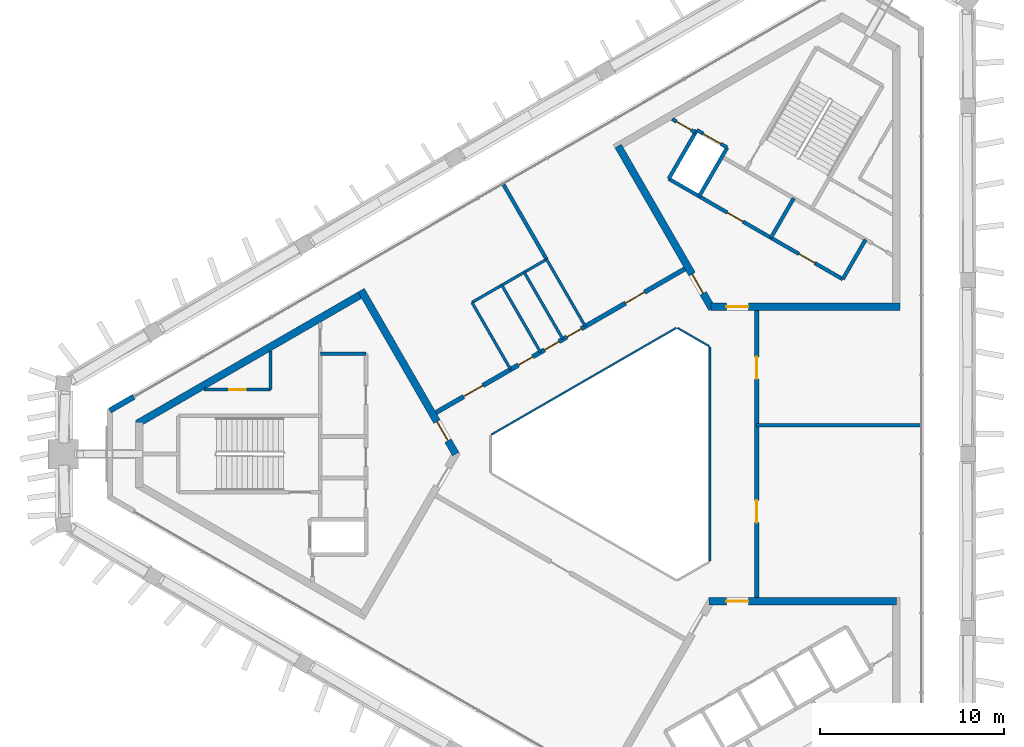
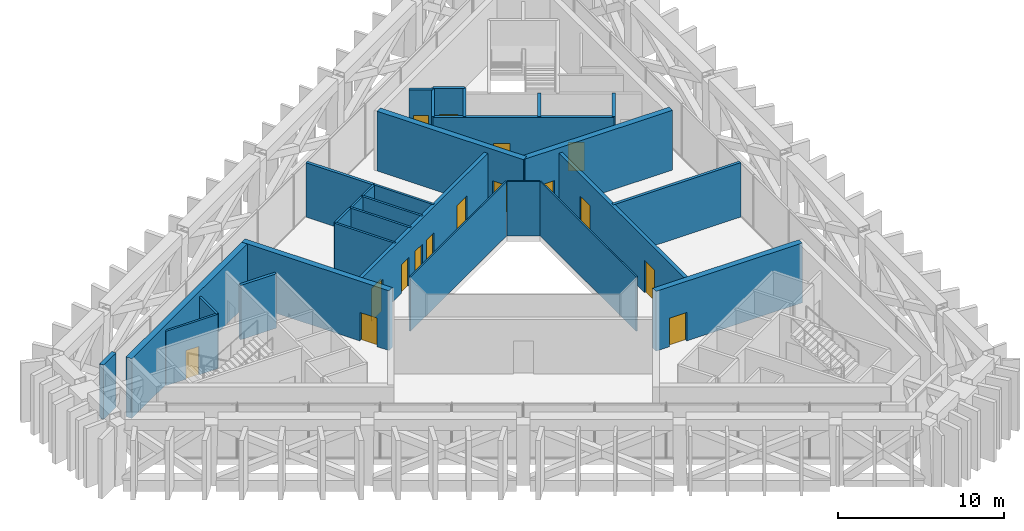
# One storey, part 9 of 12: 28 walls, 16 doors, 16 openings.
"""IFC4 building model written with IfcOpenShell, lengths in metres."""

from ifc_helpers import new_model, si_unit, direction, frame, frame_2d, origin, place, context, subcontext, project, spatial, rectangle, extrude, material, layer, layer_set, type_object, element, fill, save


model = new_model("IFC4")

# Units and contexts
model_context = context("Model", 3, precision=1e-05, world=origin(), true_north=direction((0.0, 1.0)))
body_context = subcontext(model_context, "Body", "Model", "MODEL_VIEW")
ifc_project = project(units=[si_unit("LENGTHUNIT", "METRE"), si_unit("AREAUNIT", "SQUARE_METRE"), si_unit("VOLUMEUNIT", "CUBIC_METRE"), si_unit("PLANEANGLEUNIT", "RADIAN"), si_unit("MASSUNIT", "GRAM", prefix="KILO")], contexts=[model_context])

# Site, building, storey
site_placement = place(None, origin())
site = spatial("IfcSite", under=ifc_project, at=site_placement, CompositionType="ELEMENT")
building_placement = place(site_placement, origin())
building = spatial("IfcBuilding", under=site, at=building_placement, Name="Jabali Bay Hotel Tower and Convention Centre", CompositionType="ELEMENT")
storey_placement = place(building_placement, frame((0.0, 0.0, 300.39990234375)))
storey = spatial("IfcBuildingStorey", under=building, at=storey_placement, Name="L74", CompositionType="ELEMENT", Elevation=300.39990234375)

# Walls
ifc_material_1 = material(Name="Fire-resistant glazing", Category="glass")
ifc_layer_1 = layer(ifc_material_1, 0.10009765625)
ifc_layer_set_1 = layer_set([ifc_layer_1], Name="Fire-resistant glazing")
wall_type_1 = type_object("IfcWallType", Name="Atrium glazed screen 100", PredefinedType="PARTITIONING", material=ifc_layer_set_1)
wall_1_placement = place(storey_placement, frame((79.56005859375, 74.205810546875, 0.0), z_axis=(0.0, 0.0, 1.0), x_axis=(0.0, 1.0, 0.0)))
element("IfcWall", 1, at=wall_1_placement, inside=storey, type_object=wall_type_1, Name="Atrium screen 1 L74", PredefinedType="PARTITIONING", context=body_context, shape_type="SweptSolid", body=[
    extrude(rectangle(XDim=11.58837890625, YDim=0.10009765625, at=frame_2d((5.794189453125, 0.0))), origin(), (0.0, 0.0, 1.0), 4.0),
])
wall_2_placement = place(storey_placement, frame((79.530029296875, 85.84619140625, 0.0), z_axis=(0.0, 0.0, 1.0), x_axis=(-0.866041268327, 0.499972520799, 0.0)))
element("IfcWall", 2, at=wall_2_placement, inside=storey, type_object=wall_type_1, Name="Atrium screen 2 L74", PredefinedType="PARTITIONING", context=body_context, shape_type="SweptSolid", body=[
    extrude(rectangle(XDim=2.0, YDim=0.10009765625, at=frame_2d((1.0, 0.0))), origin(), (0.0, 0.0, 1.0), 4.0),
])
wall_3_placement = place(storey_placement, frame((77.738037109375, 86.84619140625, 0.0), z_axis=(0.0, 0.0, 1.0), x_axis=(-0.866026658274, -0.499997827154, 0.0)))
element("IfcWall", 3, at=wall_3_placement, inside=storey, type_object=wall_type_1, Name="Atrium screen 3 L74", PredefinedType="PARTITIONING", context=body_context, shape_type="SweptSolid", body=[
    extrude(rectangle(XDim=11.58837890625, YDim=0.10009765625, at=frame_2d((5.794189453125, 0.0))), origin(), (0.0, 0.0, 1.0), 4.0),
])

# Wall, opening, door
ifc_material_2 = material(Name="Concrete C40", Category="concrete")
ifc_layer_2 = layer(ifc_material_2, 0.199951171875)
ifc_layer_set_2 = layer_set([ifc_layer_2], Name="Concrete C40")
wall_type_2 = type_object("IfcWallType", Name="Core partition wall 200", PredefinedType="PARTITIONING", material=ifc_layer_set_2)
wall_4_placement = place(storey_placement, frame((78.7802734375, 97.447509765625, 0.0), z_axis=(0.0, 0.0, 1.0), x_axis=(-0.866045896294, 0.499964504253, 0.0)))
wall_4 = element("IfcWall", 4, at=wall_4_placement, inside=storey, type_object=wall_type_2, Name="Core wall 1.10 L74", PredefinedType="PARTITIONING", context=body_context, shape_type="SweptSolid", body=[
    extrude(rectangle(XDim=1.455078125, YDim=0.199951171875, at=frame_2d((0.7275390625, 0.0))), origin(), (0.0, 0.0, 1.0), 4.0),
])
opening_1_placement = place(wall_4_placement, frame((0.277587890625, 0.0, 0.0)))
opening_1 = element("IfcOpeningElement", 5, at=opening_1_placement, cuts=wall_4, Name="Opening D1650", PredefinedType="OPENING", context=body_context, shape_type="SweptSolid", body=[
    extrude(rectangle(XDim=0.89990234375, YDim=2.10009765625, at=frame_2d((0.449951171875, 1.050048828125))), frame((0.0, 0.1103515625, 0.0), z_axis=(0.0, -1.0, 0.0), x_axis=(1.0, 0.0, 0.0)), (0.0, 0.0, 1.0), 0.220947265625),
])
ifc_material_3 = material(Name="Fire-rated steel door", Category="steel")
door_type_1 = type_object("IfcDoorType", Name="Vestibule fire door 900 x 2100", OperationType="NOTDEFINED", PredefinedType="NOTDEFINED", material=ifc_material_3)
door_1_placement = place(opening_1_placement, origin())
door_1 = element("IfcDoor", 6, at=door_1_placement, inside=storey, type_object=door_type_1, Name="Vestibule fire door D1650", OperationType="SINGLE_SWING_LEFT", OverallHeight=2.10009765625, OverallWidth=0.89990234375, PredefinedType="NOTDEFINED", context=body_context, shape_type="SweptSolid", body=[
    extrude(rectangle(XDim=0.89990234375, YDim=2.10009765625, at=frame_2d((0.449951171875, 1.050048828125))), frame((0.0, 0.02490234375, 0.0), z_axis=(0.0, -1.0, 0.0), x_axis=(1.0, 0.0, 0.0)), (0.0, 0.0, 1.0), 0.050048828125),
])
fill(opening_1, door_1)

ifc_material_4 = material(Name="Fire-rated board partition")
ifc_layer_3 = layer(ifc_material_4, 0.14990234375)
ifc_layer_set_3 = layer_set([ifc_layer_3], Name="Fire-rated board partition")
wall_type_3 = type_object("IfcWallType", Name="Core room partition 150", PredefinedType="PARTITIONING", material=ifc_layer_set_3)
wall_5_placement = place(storey_placement, frame((55.719970703125, 83.5, 0.0), z_axis=(0.0, 0.0, 1.0), x_axis=(-1.0, 0.0, 0.0)))
wall_5 = element("IfcWall", 7, at=wall_5_placement, inside=storey, type_object=wall_type_3, Name="Core wall 0.1 L74", PredefinedType="PARTITIONING", context=body_context, shape_type="SweptSolid", body=[
    extrude(rectangle(XDim=3.61767578125, YDim=0.14990234375, at=frame_2d((1.808837890625, 0.0))), origin(), (0.0, 0.0, 1.0), 4.0),
])
opening_2_placement = place(wall_5_placement, frame((1.33154296875, 0.0, 0.0)))
opening_2 = element("IfcOpeningElement", 8, at=opening_2_placement, cuts=wall_5, Name="Opening D1644", PredefinedType="OPENING", context=body_context, shape_type="SweptSolid", body=[
    extrude(rectangle(XDim=0.89990234375, YDim=2.10009765625, at=frame_2d((0.449951171875, 1.050048828125))), frame((0.0, 0.08544921875, 0.0), z_axis=(0.0, -1.0, 0.0), x_axis=(1.0, 0.0, 0.0)), (0.0, 0.0, 1.0), 0.1708984375),
])
door_type_2 = type_object("IfcDoorType", Name="Core room door 900 x 2100", OperationType="NOTDEFINED", PredefinedType="NOTDEFINED", material=ifc_material_3)
door_2_placement = place(opening_2_placement, origin())
door_2 = element("IfcDoor", 9, at=door_2_placement, inside=storey, type_object=door_type_2, Name="Core room door D1644", OperationType="SINGLE_SWING_LEFT", OverallHeight=2.10009765625, OverallWidth=0.89990234375, PredefinedType="NOTDEFINED", context=body_context, shape_type="SweptSolid", body=[
    extrude(rectangle(XDim=0.89990234375, YDim=2.10009765625, at=frame_2d((0.449951171875, 1.050048828125))), frame((0.0, 0.02490234375, 0.0), z_axis=(0.0, -1.0, 0.0), x_axis=(1.0, 0.0, 0.0)), (0.0, 0.0, 1.0), 0.050048828125),
])
fill(opening_2, door_2)

# Walls
wall_6_placement = place(storey_placement, frame((55.719970703125, 85.5888671875, 0.0), z_axis=(0.0, 0.0, 1.0), x_axis=(0.0, -1.0, 0.0)))
element("IfcWall", 10, at=wall_6_placement, inside=storey, type_object=wall_type_3, Name="Core wall 0.13 L74", PredefinedType="PARTITIONING", context=body_context, shape_type="SweptSolid", body=[
    extrude(rectangle(XDim=2.0888671875, YDim=0.14990234375, at=frame_2d((1.04443359375, 0.0))), origin(), (0.0, 0.0, 1.0), 4.0),
])
ifc_layer_4 = layer(ifc_material_2, 0.199951171875)
ifc_layer_set_4 = layer_set([ifc_layer_4], Name="Concrete C40")
wall_type_4 = type_object("IfcWallType", Name="Core stair wall 200", PredefinedType="SOLIDWALL", material=ifc_layer_set_4)
wall_7_placement = place(storey_placement, frame((60.89990234375, 85.449951171875, 0.0), z_axis=(0.0, 0.0, 1.0), x_axis=(-1.0, 0.0, 0.0)))
element("IfcWall", 11, at=wall_7_placement, inside=storey, type_object=wall_type_4, Name="Core wall 0.0 L74", PredefinedType="SOLIDWALL", context=body_context, shape_type="SweptSolid", body=[
    extrude(rectangle(XDim=2.47998046875, YDim=0.199951171875, at=frame_2d((1.239990234375, 0.0))), origin(), (0.0, 0.0, 1.0), 4.0),
])
for number, where, z_axis, x_axis, name in (
    (12, (86.769775390625, 89.48583984375, 0.0), (0.0, 0.0, 1.0), (0.499961042966, 0.86604789447, 0.0), "Core wall 1.0 L74"),
    (13, (82.872802734375, 91.73583984375, 0.0), (0.0, 0.0, 1.0), (0.499961042966, 0.86604789447, 0.0), "Core wall 1.3 L74"),
):
    element("IfcWall", number, at=place(storey_placement, frame(where, z_axis=z_axis, x_axis=x_axis)), inside=storey, type_object=wall_type_4, Name=name, PredefinedType="SOLIDWALL", context=body_context, shape_type="SweptSolid", body=[
        extrude(rectangle(XDim=2.480224609375, YDim=0.199951171875, at=frame_2d((1.240234375, 0.0))), origin(), (0.0, 0.0, 1.0), 4.0),
    ])
for number, where, z_axis, x_axis, name in (
    (14, (78.9755859375, 93.98583984375, 0.0), (0.0, 0.0, 1.0), (0.499944174705, 0.866057632134, 0.0), "Core wall 1.6 L74"),
    (15, (77.330078125, 94.93603515625, 0.0), (0.0, 0.0, 1.0), (0.500038867431, 0.8660029625, 0.0), "Core wall 1.7 L74"),
):
    element("IfcWall", number, at=place(storey_placement, frame(where, z_axis=z_axis, x_axis=x_axis)), inside=storey, type_object=wall_type_4, Name=name, PredefinedType="SOLIDWALL", context=body_context, shape_type="SweptSolid", body=[
        extrude(rectangle(XDim=3.050048828125, YDim=0.199951171875, at=frame_2d((1.52490234375, 0.0))), origin(), (0.0, 0.0, 1.0), 4.0),
    ])

# Wall, openings, doors
wall_8_placement = place(storey_placement, frame((86.769775390625, 89.48583984375, 0.0), z_axis=(0.0, 0.0, 1.0), x_axis=(-0.86601811187, 0.500012629753, 0.0)))
wall_8 = element("IfcWall", 16, at=wall_8_placement, inside=storey, type_object=wall_type_4, Name="Core wall 1.8 L74", PredefinedType="SOLIDWALL", context=body_context, shape_type="SweptSolid", body=[
    extrude(rectangle(XDim=10.900146484375, YDim=0.199951171875, at=frame_2d((5.4501953125, 0.0))), origin(), (0.0, 0.0, 1.0), 4.0),
])
opening_3_placement = place(wall_8_placement, frame((1.75, 0.0, 0.0)))
opening_3 = element("IfcOpeningElement", 17, at=opening_3_placement, cuts=wall_8, Name="Opening D1647", PredefinedType="OPENING", context=body_context, shape_type="SweptSolid", body=[
    extrude(rectangle(XDim=1.0, YDim=2.10009765625, at=frame_2d((0.5, 1.050048828125))), frame((0.0, 0.1103515625, 0.0), z_axis=(0.0, -1.0, 0.0), x_axis=(1.0, 0.0, 0.0)), (0.0, 0.0, 1.0), 0.220947265625),
])
opening_4_placement = place(wall_8_placement, frame((6.25, 0.0, 0.0)))
opening_4 = element("IfcOpeningElement", 18, at=opening_4_placement, cuts=wall_8, Name="Opening D1648", PredefinedType="OPENING", context=body_context, shape_type="SweptSolid", body=[
    extrude(rectangle(XDim=1.0, YDim=2.10009765625, at=frame_2d((0.5, 1.050048828125))), frame((0.0, 0.1103515625, 0.0), z_axis=(0.0, -1.0, 0.0), x_axis=(1.0, 0.0, 0.0)), (0.0, 0.0, 1.0), 0.220947265625),
])
door_type_3 = type_object("IfcDoorType", Name="Core room door 1000 x 2100", OperationType="NOTDEFINED", PredefinedType="NOTDEFINED", material=ifc_material_3)
door_3_placement = place(opening_3_placement, origin())
door_3 = element("IfcDoor", 19, at=door_3_placement, inside=storey, type_object=door_type_3, Name="Core room door D1647", OperationType="SINGLE_SWING_RIGHT", OverallHeight=2.10009765625, OverallWidth=1.0, PredefinedType="NOTDEFINED", context=body_context, shape_type="SweptSolid", body=[
    extrude(rectangle(XDim=1.0, YDim=2.10009765625, at=frame_2d((0.5, 1.050048828125))), frame((0.0, 0.02490234375, 0.0), z_axis=(0.0, -1.0, 0.0), x_axis=(1.0, 0.0, 0.0)), (0.0, 0.0, 1.0), 0.050048828125),
])
fill(opening_3, door_3)
door_4_placement = place(opening_4_placement, origin())
door_4 = element("IfcDoor", 20, at=door_4_placement, inside=storey, type_object=door_type_3, Name="Core room door D1648", OperationType="SINGLE_SWING_RIGHT", OverallHeight=2.10009765625, OverallWidth=1.0, PredefinedType="NOTDEFINED", context=body_context, shape_type="SweptSolid", body=[
    extrude(rectangle(XDim=1.0, YDim=2.10009765625, at=frame_2d((0.5, 1.050048828125))), frame((0.0, 0.02490234375, 0.0), z_axis=(0.0, -1.0, 0.0), x_axis=(1.0, 0.0, 0.0)), (0.0, 0.0, 1.0), 0.050048828125),
])
fill(opening_4, door_4)

# Wall, opening, door
wall_9_placement = place(storey_placement, frame((80.50048828125, 96.62744140625, 0.0), z_axis=(0.0, 0.0, 1.0), x_axis=(-0.86601224135, 0.500022797313, 0.0)))
wall_9 = element("IfcWall", 21, at=wall_9_placement, inside=storey, type_object=wall_type_4, Name="Core wall 1.11 L74", PredefinedType="SOLIDWALL", context=body_context, shape_type="SweptSolid", body=[
    extrude(rectangle(XDim=1.89990234375, YDim=0.199951171875, at=frame_2d((0.949951171875, 0.0))), origin(), (0.0, 0.0, 1.0), 4.0),
])
opening_5_placement = place(wall_9_placement, frame((0.39990234375, 0.0, 0.0)))
opening_5 = element("IfcOpeningElement", 22, at=opening_5_placement, cuts=wall_9, Name="Opening LD10-L74", PredefinedType="OPENING", context=body_context, shape_type="SweptSolid", body=[
    extrude(rectangle(XDim=1.10009765625, YDim=2.10009765625, at=frame_2d((0.550048828125, 1.050048828125))), frame((0.0, 0.1103515625, 0.0), z_axis=(0.0, -1.0, 0.0), x_axis=(1.0, 0.0, 0.0)), (0.0, 0.0, 1.0), 0.220947265625),
])
ifc_material_5 = material(Name="Stainless steel landing door", Category="steel")
door_type_4 = type_object("IfcDoorType", Name="Landing door 1100 x 2100", OperationType="NOTDEFINED", PredefinedType="NOTDEFINED", material=ifc_material_5)
door_5_placement = place(opening_5_placement, origin())
door_5 = element("IfcDoor", 23, at=door_5_placement, inside=storey, type_object=door_type_4, Name="Landing doors LD10-L74", OperationType="SLIDING_TO_RIGHT", OverallHeight=2.10009765625, OverallWidth=1.10009765625, PredefinedType="NOTDEFINED", context=body_context, shape_type="SweptSolid", body=[
    extrude(rectangle(XDim=1.10009765625, YDim=2.10009765625, at=frame_2d((0.550048828125, 1.050048828125))), frame((0.0, 0.02490234375, 0.0), z_axis=(0.0, -1.0, 0.0), x_axis=(1.0, 0.0, 0.0)), (0.0, 0.0, 1.0), 0.050048828125),
])
fill(opening_5, door_5)

ifc_material_6 = material(Name="Concrete C60", Category="concrete")
ifc_layer_5 = layer(ifc_material_6, 0.39990234375)
ifc_layer_set_5 = layer_set([ifc_layer_5], Name="Concrete C60")
wall_type_5 = type_object("IfcWallType", Name="Core wall 400", PredefinedType="SHEAR", material=ifc_layer_set_5)
wall_10_placement = place(storey_placement, frame((65.76904296875, 80.0, 0.0), z_axis=(0.0, 0.0, 1.0), x_axis=(-0.50000177223, 0.866024380585, 0.0)))
wall_10 = element("IfcWall", 24, at=wall_10_placement, inside=storey, type_object=wall_type_5, Name="Core wall 1.1 L74", PredefinedType="SHEAR", context=body_context, shape_type="SweptSolid", body=[
    extrude(rectangle(XDim=10.2646484375, YDim=0.39990234375, at=frame_2d((5.13232421875, 0.0))), origin(), (0.0, 0.0, 1.0), 4.400146484375),
])
opening_6_placement = place(wall_10_placement, frame((0.83447265625, 0.0, 0.0)))
opening_6 = element("IfcOpeningElement", 25, at=opening_6_placement, cuts=wall_10, Name="Opening D1636", PredefinedType="OPENING", context=body_context, shape_type="SweptSolid", body=[
    extrude(rectangle(XDim=1.199951171875, YDim=2.10009765625, at=frame_2d((0.60009765625, 1.050048828125))), frame((0.0, 0.21044921875, 0.0), z_axis=(0.0, -1.0, 0.0), x_axis=(1.0, 0.0, 0.0)), (0.0, 0.0, 1.0), 0.4208984375),
])
door_type_5 = type_object("IfcDoorType", Name="Corridor end fire door 1200 x 2100", OperationType="NOTDEFINED", PredefinedType="NOTDEFINED", material=ifc_material_3)
door_6_placement = place(opening_6_placement, origin())
door_6 = element("IfcDoor", 26, at=door_6_placement, inside=storey, type_object=door_type_5, Name="Corridor end fire door D1636", OperationType="SINGLE_SWING_RIGHT", OverallHeight=2.10009765625, OverallWidth=1.199951171875, PredefinedType="NOTDEFINED", context=body_context, shape_type="SweptSolid", body=[
    extrude(rectangle(XDim=1.199951171875, YDim=2.10009765625, at=frame_2d((0.60009765625, 1.050048828125))), frame((0.0, 0.02490234375, 0.0), z_axis=(0.0, -1.0, 0.0), x_axis=(1.0, 0.0, 0.0)), (0.0, 0.0, 1.0), 0.050048828125),
])
fill(opening_6, door_6)

# Wall
wall_11_placement = place(storey_placement, frame((60.73681640625, 88.716064453125, 0.0), z_axis=(0.0, 0.0, 1.0), x_axis=(-0.866028812667, -0.499994095595, 0.0)))
element("IfcWall", 27, at=wall_11_placement, inside=storey, type_object=wall_type_5, Name="Core wall 1.2 L74", PredefinedType="SHEAR", context=body_context, shape_type="SweptSolid", body=[
    extrude(rectangle(XDim=14.133544921875, YDim=0.39990234375, at=frame_2d((7.06689453125, 0.0))), origin(), (0.0, 0.0, 1.0), 4.400146484375),
])

# Wall, opening, door
wall_12_placement = place(storey_placement, frame((79.615478515625, 87.994140625, 0.0), z_axis=(0.0, 0.0, 1.0), x_axis=(1.0, 0.0, 0.0)))
wall_12 = element("IfcWall", 28, at=wall_12_placement, inside=storey, type_object=wall_type_5, Name="Core wall 2.1 L74", PredefinedType="SHEAR", context=body_context, shape_type="SweptSolid", body=[
    extrude(rectangle(XDim=10.264404296875, YDim=0.39990234375, at=frame_2d((5.13232421875, 0.0))), origin(), (0.0, 0.0, 1.0), 4.400146484375),
])
opening_7_placement = place(wall_12_placement, frame((0.83447265625, 0.0, 0.0)))
opening_7 = element("IfcOpeningElement", 29, at=opening_7_placement, cuts=wall_12, Name="Opening D1645", PredefinedType="OPENING", context=body_context, shape_type="SweptSolid", body=[
    extrude(rectangle(XDim=1.199951171875, YDim=2.10009765625, at=frame_2d((0.60009765625, 1.050048828125))), frame((0.0, 0.21044921875, 0.0), z_axis=(0.0, -1.0, 0.0), x_axis=(1.0, 0.0, 0.0)), (0.0, 0.0, 1.0), 0.4208984375),
])
door_7_placement = place(opening_7_placement, origin())
door_7 = element("IfcDoor", 30, at=door_7_placement, inside=storey, type_object=door_type_5, Name="Corridor end fire door D1645", OperationType="SINGLE_SWING_RIGHT", OverallHeight=2.10009765625, OverallWidth=1.199951171875, PredefinedType="NOTDEFINED", context=body_context, shape_type="SweptSolid", body=[
    extrude(rectangle(XDim=1.199951171875, YDim=2.10009765625, at=frame_2d((0.60009765625, 1.050048828125))), frame((0.0, 0.02490234375, 0.0), z_axis=(0.0, -1.0, 0.0), x_axis=(1.0, 0.0, 0.0)), (0.0, 0.0, 1.0), 0.050048828125),
])
fill(opening_7, door_7)

wall_13_placement = place(storey_placement, frame((74.583251953125, 96.71044921875, 0.0), z_axis=(0.0, 0.0, 1.0), x_axis=(0.499987488796, -0.866032627011, 0.0)))
wall_13 = element("IfcWall", 31, at=wall_13_placement, inside=storey, type_object=wall_type_5, Name="Core wall 2.5 L74", PredefinedType="SHEAR", context=body_context, shape_type="SweptSolid", body=[
    extrude(rectangle(XDim=10.179931640625, YDim=0.39990234375, at=frame_2d((5.08984375, 0.0))), origin(), (0.0, 0.0, 1.0), 4.400146484375),
])
opening_8_placement = place(wall_13_placement, frame((8.030029296875, 0.0, 0.0)))
opening_8 = element("IfcOpeningElement", 32, at=opening_8_placement, cuts=wall_13, Name="Opening D1646", PredefinedType="OPENING", context=body_context, shape_type="SweptSolid", body=[
    extrude(rectangle(XDim=1.199951171875, YDim=2.10009765625, at=frame_2d((0.60009765625, 1.050048828125))), frame((0.0, 0.21044921875, 0.0), z_axis=(0.0, -1.0, 0.0), x_axis=(1.0, 0.0, 0.0)), (0.0, 0.0, 1.0), 0.4208984375),
])
door_8_placement = place(opening_8_placement, origin())
door_8 = element("IfcDoor", 33, at=door_8_placement, inside=storey, type_object=door_type_5, Name="Corridor end fire door D1646", OperationType="SINGLE_SWING_LEFT", OverallHeight=2.10009765625, OverallWidth=1.199951171875, PredefinedType="NOTDEFINED", context=body_context, shape_type="SweptSolid", body=[
    extrude(rectangle(XDim=1.199951171875, YDim=2.10009765625, at=frame_2d((0.60009765625, 1.050048828125))), frame((0.0, 0.02490234375, 0.0), z_axis=(0.0, -1.0, 0.0), x_axis=(1.0, 0.0, 0.0)), (0.0, 0.0, 1.0), 0.050048828125),
])
fill(opening_8, door_8)

wall_14_placement = place(storey_placement, frame((89.679931640625, 72.005859375, 0.0), z_axis=(0.0, 0.0, 1.0), x_axis=(-1.0, 0.0, 0.0)))
wall_14 = element("IfcWall", 34, at=wall_14_placement, inside=storey, type_object=wall_type_5, Name="Core wall 3.5 L74", PredefinedType="SHEAR", context=body_context, shape_type="SweptSolid", body=[
    extrude(rectangle(XDim=10.179931640625, YDim=0.39990234375, at=frame_2d((5.08984375, 0.0))), origin(), (0.0, 0.0, 1.0), 4.400146484375),
])
opening_9_placement = place(wall_14_placement, frame((8.030029296875, 0.0, 0.0)))
opening_9 = element("IfcOpeningElement", 35, at=opening_9_placement, cuts=wall_14, Name="Opening D1655", PredefinedType="OPENING", context=body_context, shape_type="SweptSolid", body=[
    extrude(rectangle(XDim=1.199951171875, YDim=2.10009765625, at=frame_2d((0.60009765625, 1.050048828125))), frame((0.0, 0.21044921875, 0.0), z_axis=(0.0, -1.0, 0.0), x_axis=(1.0, 0.0, 0.0)), (0.0, 0.0, 1.0), 0.4208984375),
])
door_9_placement = place(opening_9_placement, origin())
door_9 = element("IfcDoor", 36, at=door_9_placement, inside=storey, type_object=door_type_5, Name="Corridor end fire door D1655", OperationType="SINGLE_SWING_LEFT", OverallHeight=2.10009765625, OverallWidth=1.199951171875, PredefinedType="NOTDEFINED", context=body_context, shape_type="SweptSolid", body=[
    extrude(rectangle(XDim=1.199951171875, YDim=2.10009765625, at=frame_2d((0.60009765625, 1.050048828125))), frame((0.0, 0.02490234375, 0.0), z_axis=(0.0, -1.0, 0.0), x_axis=(1.0, 0.0, 0.0)), (0.0, 0.0, 1.0), 0.050048828125),
])
fill(opening_9, door_9)

# Wall, openings, doors
ifc_layer_6 = layer(ifc_material_6, 0.25)
ifc_layer_set_6 = layer_set([ifc_layer_6], Name="Concrete C60")
wall_type_6 = type_object("IfcWallType", Name="Corridor wall 250", PredefinedType="SHEAR", material=ifc_layer_set_6)
wall_15_placement = place(storey_placement, frame((82.10009765625, 72.205810546875, 0.0), z_axis=(0.0, 0.0, 1.0), x_axis=(0.0, 1.0, 0.0)))
wall_15 = element("IfcWall", 37, at=wall_15_placement, inside=storey, type_object=wall_type_6, Name="Corridor wall 1 L74", PredefinedType="SHEAR", context=body_context, shape_type="SweptSolid", body=[
    extrude(rectangle(XDim=15.58837890625, YDim=0.25, at=frame_2d((7.794189453125, 0.0))), origin(), (0.0, 0.0, 1.0), 4.0),
])
opening_10_placement = place(wall_15_placement, frame((4.076416015625, 0.0, 0.0)))
opening_10 = element("IfcOpeningElement", 38, at=opening_10_placement, cuts=wall_15, Name="Opening 7401", PredefinedType="OPENING", context=body_context, shape_type="SweptSolid", body=[
    extrude(rectangle(XDim=1.199951171875, YDim=2.39990234375, at=frame_2d((0.60009765625, 1.199951171875))), frame((0.0, 0.135498046875, 0.0), z_axis=(0.0, -1.0, 0.0), x_axis=(1.0, 0.0, 0.0)), (0.0, 0.0, 1.0), 0.27099609375),
])
opening_11_placement = place(wall_15_placement, frame((11.870849609375, 0.0, 0.0)))
opening_11 = element("IfcOpeningElement", 39, at=opening_11_placement, cuts=wall_15, Name="Opening 7402", PredefinedType="OPENING", context=body_context, shape_type="SweptSolid", body=[
    extrude(rectangle(XDim=1.199951171875, YDim=2.39990234375, at=frame_2d((0.60009765625, 1.199951171875))), frame((0.0, 0.135498046875, 0.0), z_axis=(0.0, -1.0, 0.0), x_axis=(1.0, 0.0, 0.0)), (0.0, 0.0, 1.0), 0.27099609375),
])
ifc_material_7 = material(Name="Timber", Category="wood")
door_type_6 = type_object("IfcDoorType", Name="Public room door 1200 x 2400", OperationType="NOTDEFINED", PredefinedType="NOTDEFINED", material=ifc_material_7)
door_10_placement = place(opening_10_placement, origin())
door_10 = element("IfcDoor", 40, at=door_10_placement, inside=storey, type_object=door_type_6, Name="Door 7401", OperationType="SINGLE_SWING_LEFT", OverallHeight=2.39990234375, OverallWidth=1.199951171875, PredefinedType="NOTDEFINED", context=body_context, shape_type="SweptSolid", body=[
    extrude(rectangle(XDim=1.199951171875, YDim=2.39990234375, at=frame_2d((0.60009765625, 1.199951171875))), frame((0.0, 0.02490234375, 0.0), z_axis=(0.0, -1.0, 0.0), x_axis=(1.0, 0.0, 0.0)), (0.0, 0.0, 1.0), 0.050048828125),
])
fill(opening_10, door_10)
door_11_placement = place(opening_11_placement, origin())
door_11 = element("IfcDoor", 41, at=door_11_placement, inside=storey, type_object=door_type_6, Name="Door 7402", OperationType="SINGLE_SWING_RIGHT", OverallHeight=2.39990234375, OverallWidth=1.199951171875, PredefinedType="NOTDEFINED", context=body_context, shape_type="SweptSolid", body=[
    extrude(rectangle(XDim=1.199951171875, YDim=2.39990234375, at=frame_2d((0.60009765625, 1.199951171875))), frame((0.0, 0.02490234375, 0.0), z_axis=(0.0, -1.0, 0.0), x_axis=(1.0, 0.0, 0.0)), (0.0, 0.0, 1.0), 0.050048828125),
])
fill(opening_11, door_11)

wall_16_placement = place(storey_placement, frame((78.199951171875, 90.0458984375, 0.0), z_axis=(0.0, 0.0, 1.0), x_axis=(-0.866026492143, -0.499998114903, 0.0)))
wall_16 = element("IfcWall", 42, at=wall_16_placement, inside=storey, type_object=wall_type_6, Name="Corridor wall 2 L74", PredefinedType="SHEAR", context=body_context, shape_type="SweptSolid", body=[
    extrude(rectangle(XDim=15.58837890625, YDim=0.25, at=frame_2d((7.794189453125, 0.0))), origin(), (0.0, 0.0, 1.0), 4.0),
])
opening_12_placement = place(wall_16_placement, frame((2.517578125, 0.0, 0.0)))
opening_12 = element("IfcOpeningElement", 43, at=opening_12_placement, cuts=wall_16, Name="Opening 7403", PredefinedType="OPENING", context=body_context, shape_type="SweptSolid", body=[
    extrude(rectangle(XDim=1.199951171875, YDim=2.39990234375, at=frame_2d((0.60009765625, 1.199951171875))), frame((0.0, 0.135498046875, 0.0), z_axis=(0.0, -1.0, 0.0), x_axis=(1.0, 0.0, 0.0)), (0.0, 0.0, 1.0), 0.27099609375),
])
opening_13_placement = place(wall_16_placement, frame((6.48681640625, 0.0, 0.0)))
opening_13 = element("IfcOpeningElement", 44, at=opening_13_placement, cuts=wall_16, Name="Opening 7404", PredefinedType="OPENING", context=body_context, shape_type="SweptSolid", body=[
    extrude(rectangle(XDim=0.89990234375, YDim=2.10009765625, at=frame_2d((0.449951171875, 1.050048828125))), frame((0.0, 0.135498046875, 0.0), z_axis=(0.0, -1.0, 0.0), x_axis=(1.0, 0.0, 0.0)), (0.0, 0.0, 1.0), 0.27099609375),
])
opening_14_placement = place(wall_16_placement, frame((7.889892578125, 0.0, 0.0)))
opening_14 = element("IfcOpeningElement", 45, at=opening_14_placement, cuts=wall_16, Name="Opening 7405", PredefinedType="OPENING", context=body_context, shape_type="SweptSolid", body=[
    extrude(rectangle(XDim=0.89990234375, YDim=2.10009765625, at=frame_2d((0.449951171875, 1.050048828125))), frame((0.0, 0.135498046875, 0.0), z_axis=(0.0, -1.0, 0.0), x_axis=(1.0, 0.0, 0.0)), (0.0, 0.0, 1.0), 0.27099609375),
])
opening_15_placement = place(wall_16_placement, frame((9.526611328125, 0.0, 0.0)))
opening_15 = element("IfcOpeningElement", 46, at=opening_15_placement, cuts=wall_16, Name="Opening 7406", PredefinedType="OPENING", context=body_context, shape_type="SweptSolid", body=[
    extrude(rectangle(XDim=0.89990234375, YDim=2.10009765625, at=frame_2d((0.449951171875, 1.050048828125))), frame((0.0, 0.135498046875, 0.0), z_axis=(0.0, -1.0, 0.0), x_axis=(1.0, 0.0, 0.0)), (0.0, 0.0, 1.0), 0.27099609375),
])
opening_16_placement = place(wall_16_placement, frame((12.650146484375, 0.0, 0.0)))
opening_16 = element("IfcOpeningElement", 47, at=opening_16_placement, cuts=wall_16, Name="Opening 7407", PredefinedType="OPENING", context=body_context, shape_type="SweptSolid", body=[
    extrude(rectangle(XDim=1.199951171875, YDim=2.39990234375, at=frame_2d((0.60009765625, 1.199951171875))), frame((0.0, 0.135498046875, 0.0), z_axis=(0.0, -1.0, 0.0), x_axis=(1.0, 0.0, 0.0)), (0.0, 0.0, 1.0), 0.27099609375),
])
door_type_7 = type_object("IfcDoorType", Name="Accessible en-suite door 900 x 2100", OperationType="NOTDEFINED", PredefinedType="NOTDEFINED", material=ifc_material_7)
door_12_placement = place(opening_15_placement, origin())
door_12 = element("IfcDoor", 48, at=door_12_placement, inside=storey, type_object=door_type_7, Name="Door 7406", OperationType="SINGLE_SWING_RIGHT", OverallHeight=2.10009765625, OverallWidth=0.89990234375, PredefinedType="NOTDEFINED", context=body_context, shape_type="SweptSolid", body=[
    extrude(rectangle(XDim=0.89990234375, YDim=2.10009765625, at=frame_2d((0.449951171875, 1.050048828125))), frame((0.0, 0.02490234375, 0.0), z_axis=(0.0, -1.0, 0.0), x_axis=(1.0, 0.0, 0.0)), (0.0, 0.0, 1.0), 0.050048828125),
])
fill(opening_15, door_12)
door_type_8 = type_object("IfcDoorType", Name="Internal door 900 x 2100", OperationType="NOTDEFINED", PredefinedType="NOTDEFINED", material=ifc_material_7)
door_13_placement = place(opening_13_placement, origin())
door_13 = element("IfcDoor", 49, at=door_13_placement, inside=storey, type_object=door_type_8, Name="Door 7404", OperationType="SINGLE_SWING_LEFT", OverallHeight=2.10009765625, OverallWidth=0.89990234375, PredefinedType="NOTDEFINED", context=body_context, shape_type="SweptSolid", body=[
    extrude(rectangle(XDim=0.89990234375, YDim=2.10009765625, at=frame_2d((0.449951171875, 1.050048828125))), frame((0.0, 0.02490234375, 0.0), z_axis=(0.0, -1.0, 0.0), x_axis=(1.0, 0.0, 0.0)), (0.0, 0.0, 1.0), 0.050048828125),
])
fill(opening_13, door_13)
door_14_placement = place(opening_14_placement, origin())
door_14 = element("IfcDoor", 50, at=door_14_placement, inside=storey, type_object=door_type_8, Name="Door 7405", OperationType="SINGLE_SWING_RIGHT", OverallHeight=2.10009765625, OverallWidth=0.89990234375, PredefinedType="NOTDEFINED", context=body_context, shape_type="SweptSolid", body=[
    extrude(rectangle(XDim=0.89990234375, YDim=2.10009765625, at=frame_2d((0.449951171875, 1.050048828125))), frame((0.0, 0.02490234375, 0.0), z_axis=(0.0, -1.0, 0.0), x_axis=(1.0, 0.0, 0.0)), (0.0, 0.0, 1.0), 0.050048828125),
])
fill(opening_14, door_14)
door_15_placement = place(opening_12_placement, origin())
door_15 = element("IfcDoor", 51, at=door_15_placement, inside=storey, type_object=door_type_6, Name="Door 7403", OperationType="SINGLE_SWING_LEFT", OverallHeight=2.39990234375, OverallWidth=1.199951171875, PredefinedType="NOTDEFINED", context=body_context, shape_type="SweptSolid", body=[
    extrude(rectangle(XDim=1.199951171875, YDim=2.39990234375, at=frame_2d((0.60009765625, 1.199951171875))), frame((0.0, 0.02490234375, 0.0), z_axis=(0.0, -1.0, 0.0), x_axis=(1.0, 0.0, 0.0)), (0.0, 0.0, 1.0), 0.050048828125),
])
fill(opening_12, door_15)
door_16_placement = place(opening_16_placement, origin())
door_16 = element("IfcDoor", 52, at=door_16_placement, inside=storey, type_object=door_type_6, Name="Door 7407", OperationType="SINGLE_SWING_RIGHT", OverallHeight=2.39990234375, OverallWidth=1.199951171875, PredefinedType="NOTDEFINED", context=body_context, shape_type="SweptSolid", body=[
    extrude(rectangle(XDim=1.199951171875, YDim=2.39990234375, at=frame_2d((0.60009765625, 1.199951171875))), frame((0.0, 0.02490234375, 0.0), z_axis=(0.0, -1.0, 0.0), x_axis=(1.0, 0.0, 0.0)), (0.0, 0.0, 1.0), 0.050048828125),
])
fill(opening_16, door_16)

# Walls
ifc_layer_7 = layer(ifc_material_2, 0.300048828125)
ifc_layer_set_7 = layer_set([ifc_layer_7], Name="Concrete C40")
wall_type_7 = type_object("IfcWallType", Name="External wall 300", PredefinedType="SOLIDWALL", material=ifc_layer_set_7)
wall_17_placement = place(storey_placement, frame((47.00439453125, 82.359130859375, 0.0), z_axis=(0.0, 0.0, 1.0), x_axis=(0.866031096941, 0.499990139034, 0.0)))
element("IfcWall", 53, at=wall_17_placement, inside=storey, type_object=wall_type_7, Name="External wall north-west face L74", PredefinedType="SOLIDWALL", context=body_context, shape_type="SweptSolid", body=[
    extrude(rectangle(XDim=1.5, YDim=0.300048828125, at=frame_2d((0.75, 0.0))), origin(), (0.0, 0.0, 1.0), 4.0),
])
ifc_material_8 = material(Name="Plasterboard on steel stud", Category="steel")
ifc_layer_8 = layer(ifc_material_8, 0.14990234375)
ifc_layer_set_8 = layer_set([ifc_layer_8], Name="Plasterboard on steel stud")
wall_type_8 = type_object("IfcWallType", Name="Partition 150 wet", PredefinedType="PARTITIONING", material=ifc_layer_set_8)
for number, where, z_axis, x_axis, name in (
    (54, (70.699951171875, 90.5654296875, 0.0), (0.0, 0.0, 1.0), (0.500027713859, -0.866009402589, 0.0), "Partition P03 L74 002"),
    (55, (69.485107421875, 89.864013671875, 0.0), (0.0, 0.0, 1.0), (0.49998411664, -0.866034573852, 0.0), "Partition P03 L74 004"),
):
    element("IfcWall", number, at=place(storey_placement, frame(where, z_axis=z_axis, x_axis=x_axis)), inside=storey, type_object=wall_type_8, Name=name, PredefinedType="PARTITIONING", context=body_context, shape_type="SweptSolid", body=[
        extrude(rectangle(XDim=4.199951171875, YDim=0.14990234375, at=frame_2d((2.10009765625, 0.0))), origin(), (0.0, 0.0, 1.0), 4.0),
    ])
wall_18_placement = place(storey_placement, frame((68.27001953125, 89.16259765625, 0.0), z_axis=(0.0, 0.0, 1.0), x_axis=(0.500002543286, -0.866023935413, 0.0)))
element("IfcWall", 56, at=wall_18_placement, inside=storey, type_object=wall_type_8, Name="Partition P03 L74 005", PredefinedType="PARTITIONING", context=body_context, shape_type="SweptSolid", body=[
    extrude(rectangle(XDim=4.2001953125, YDim=0.14990234375, at=frame_2d((2.10009765625, 0.0))), origin(), (0.0, 0.0, 1.0), 4.0),
])
wall_19_placement = place(storey_placement, frame((70.700439453125, 90.564697265625, 0.0), z_axis=(0.0, 0.0, 1.0), x_axis=(-0.866017799667, -0.500013170487, 0.0)))
element("IfcWall", 57, at=wall_19_placement, inside=storey, type_object=wall_type_8, Name="Partition P03 L74 006", PredefinedType="PARTITIONING", context=body_context, shape_type="SweptSolid", body=[
    extrude(rectangle(XDim=4.676513671875, YDim=0.14990234375, at=frame_2d((2.33837890625, 0.0))), origin(), (0.0, 0.0, 1.0), 4.0),
])
wall_20_placement = place(storey_placement, frame((66.650390625, 88.226318359375, 0.0), z_axis=(0.0, 0.0, 1.0), x_axis=(0.500016035621, -0.866016145416, 0.0)))
element("IfcWall", 58, at=wall_20_placement, inside=storey, type_object=wall_type_8, Name="Partition P03 L74 007", PredefinedType="PARTITIONING", context=body_context, shape_type="SweptSolid", body=[
    extrude(rectangle(XDim=4.198974609375, YDim=0.14990234375, at=frame_2d((2.099609375, 0.0))), origin(), (0.0, 0.0, 1.0), 4.0),
])
ifc_layer_9 = layer(ifc_material_8, 0.199951171875)
ifc_layer_set_9 = layer_set([ifc_layer_9], Name="Plasterboard on steel stud")
wall_type_9 = type_object("IfcWallType", Name="Partition 200 party", PredefinedType="PARTITIONING", material=ifc_layer_set_9)
wall_21_placement = place(storey_placement, frame((90.98681640625, 81.558837890625, 0.0), z_axis=(0.0, 0.0, 1.0), x_axis=(-1.0, 0.0, 0.0)))
element("IfcWall", 59, at=wall_21_placement, inside=storey, type_object=wall_type_9, Name="Partition P01 L74 001", PredefinedType="PARTITIONING", context=body_context, shape_type="SweptSolid", body=[
    extrude(rectangle(XDim=8.88671875, YDim=0.199951171875, at=frame_2d((4.443359375, 0.0))), origin(), (0.0, 0.0, 1.0), 4.0),
])
wall_22_placement = place(storey_placement, frame((68.357421875, 94.625, 0.0), z_axis=(0.0, 0.0, 1.0), x_axis=(0.499999000853, -0.866025980642, 0.0)))
element("IfcWall", 60, at=wall_22_placement, inside=storey, type_object=wall_type_9, Name="Partition P01 L74 003", PredefinedType="PARTITIONING", context=body_context, shape_type="SweptSolid", body=[
    extrude(rectangle(XDim=4.68701171875, YDim=0.199951171875, at=frame_2d((2.343505859375, 0.0))), origin(), (0.0, 0.0, 1.0), 4.0),
])

save(model, "model.ifc")
